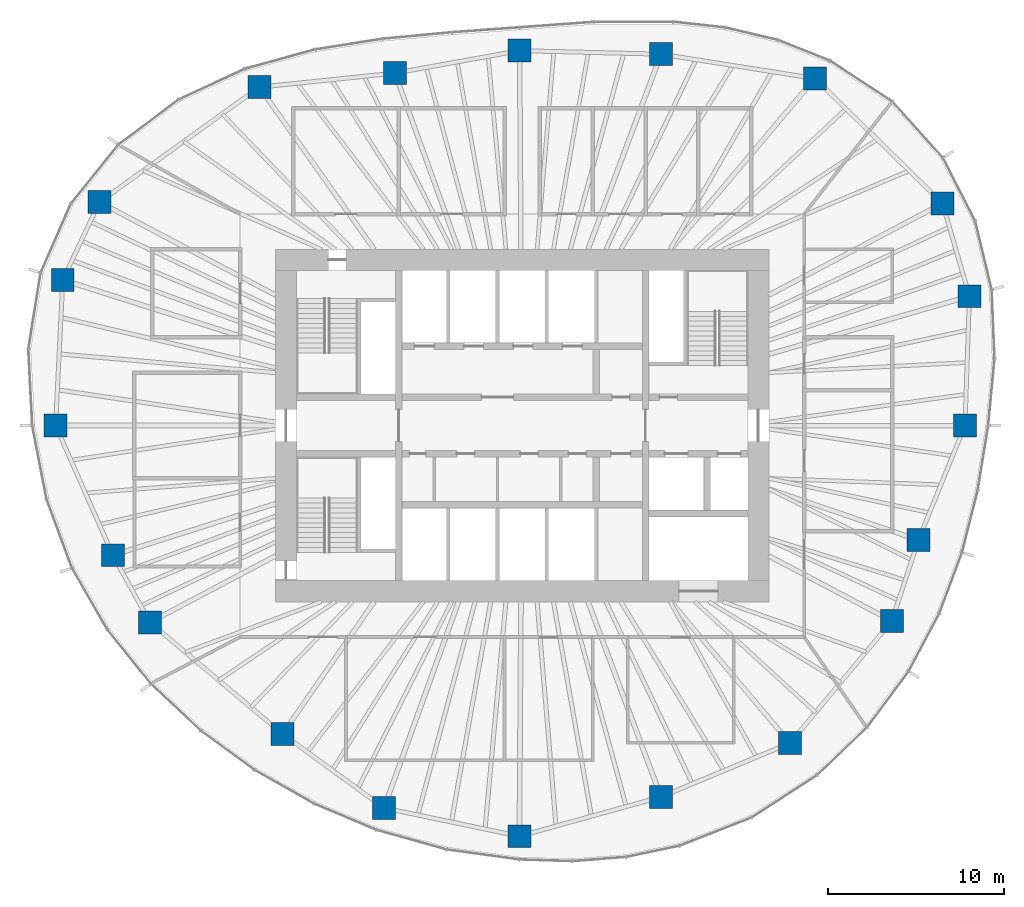
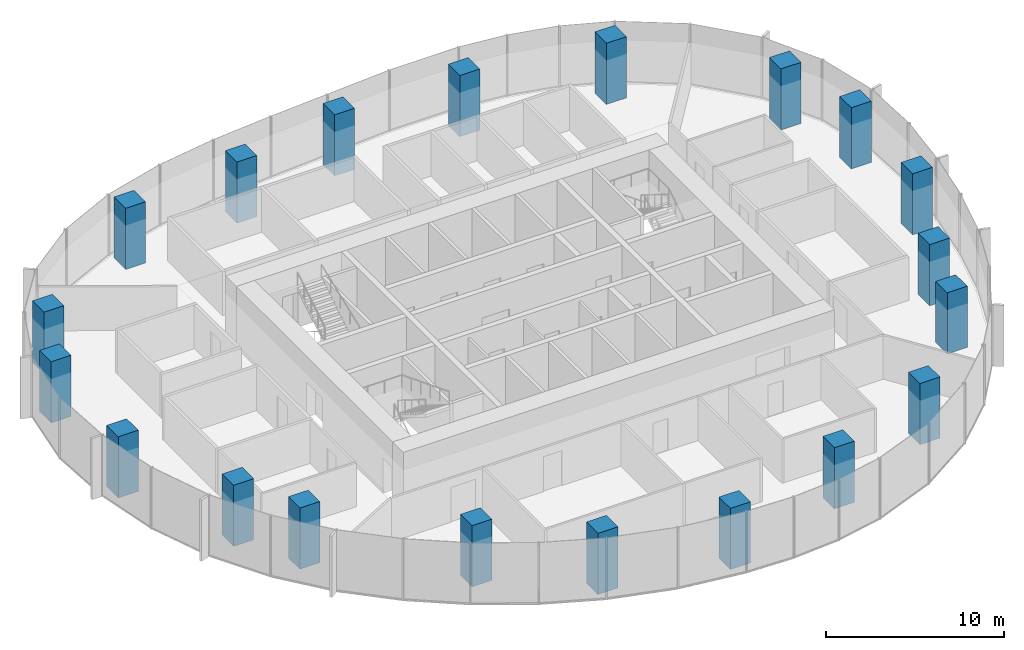
# One storey, part 1 of 11: 20 columns.
"""IFC4 building model written with IfcOpenShell, lengths in metres."""

import ifcopenshell
import ifcopenshell.guid

model = None  # the IFC model being written
_history = None  # IfcOwnerHistory: only IFC2X3 demands one
_inside = {}  # id of a spatial element -> (the spatial element, [elements in it])
_under = {}  # id of a project, library or spatial element -> (it, [spatial elements below it])
_declared = {}  # id of a project -> (the project, [libraries it declares])
_typed = {}  # id of a type object -> (the type object, [elements of that type])
_made_of = {}  # id of a material, layer set ... -> (it, [elements and type objects made of it])


def new_model(schema):
    """Start an empty IFC model of exactly this schema.

    Asked for "IFC4X3", IfcOpenShell would pick the latest addendum, in which some entities
    have other attributes; the version numbers below select the first issue.
    IFC2X3 requires an IfcOwnerHistory on every rooted entity: one is made here for all.
    """
    global model, _history
    if schema == "IFC4X3":
        model = ifcopenshell.file(schema_version=(4, 3, 0, 0))
    else:
        model = ifcopenshell.file(schema=schema)
    _inside.clear()
    _under.clear()
    _declared.clear()
    _typed.clear()
    _made_of.clear()
    _history = None
    if model.schema == "IFC2X3":
        org = make("IfcOrganization", Name="unknown")
        user = make(
            "IfcPersonAndOrganization",
            ThePerson=make("IfcPerson", FamilyName="unknown"),
            TheOrganization=org,
        )
        app = make(
            "IfcApplication",
            ApplicationDeveloper=org,
            Version="unknown",
            ApplicationFullName="unknown",
            ApplicationIdentifier="unknown",
        )
        _history = make(
            "IfcOwnerHistory",
            OwningUser=user,
            OwningApplication=app,
            ChangeAction="ADDED",
            CreationDate=0,
        )
    return model


def make(cls, **values):
    """One entity of the class cls with the attributes given. An attribute that is None is left unset."""
    return model.create_entity(
        cls, **{name: value for name, value in values.items() if value is not None}
    )


def rooted(cls, **values):
    """An entity with a GlobalId (a new one), such as an element, a storey or a relation."""
    return make(cls, GlobalId=ifcopenshell.guid.new(), OwnerHistory=_history, **values)


def si_unit(unit_type, name, prefix=None):
    """IfcSIUnit, for example si_unit("LENGTHUNIT", "METRE", prefix="MILLI")."""
    return make("IfcSIUnit", UnitType=unit_type, Prefix=prefix, Name=name)


def assignment(units):
    """IfcUnitAssignment: the units of a project."""
    return None if units is None else make("IfcUnitAssignment", Units=units)


def point(xyz):
    """IfcCartesianPoint."""
    return None if xyz is None else make("IfcCartesianPoint", Coordinates=xyz)


def direction(xyz):
    """IfcDirection."""
    return None if xyz is None else make("IfcDirection", DirectionRatios=xyz)


def frame(location, z_axis=None, x_axis=None):
    """IfcAxis2Placement3D, a coordinate frame: its origin and axes. An axis left out is left unset."""
    return make(
        "IfcAxis2Placement3D",
        Location=point(location),
        Axis=direction(z_axis),
        RefDirection=direction(x_axis),
    )


def frame_2d(location, x_axis=None):
    """IfcAxis2Placement2D, a coordinate frame in the plane: its origin and x axis."""
    return make(
        "IfcAxis2Placement2D", Location=point(location), RefDirection=direction(x_axis)
    )


def origin():
    """The frame at (0, 0, 0) with its axes left unset."""
    return frame((0.0, 0.0, 0.0))


def origin_2d():
    """The frame at (0, 0) in the plane with its x axis left unset."""
    return frame_2d((0.0, 0.0))


def place(relative_to, where):
    """IfcLocalPlacement: puts the frame where relative to a parent placement (None: the world)."""
    return make(
        "IfcLocalPlacement", PlacementRelTo=relative_to, RelativePlacement=where
    )


def context(
    kind, dimensions, precision=None, world=None, true_north=None, identifier=None
):
    """IfcGeometricRepresentationContext, for example the 3D "Model" context."""
    return make(
        "IfcGeometricRepresentationContext",
        ContextIdentifier=identifier,
        ContextType=kind,
        CoordinateSpaceDimension=dimensions,
        Precision=precision,
        WorldCoordinateSystem=world,
        TrueNorth=true_north,
    )


def subcontext(parent, identifier, kind, view, scale=None):
    """IfcGeometricRepresentationSubContext, for example "Body" below "Model"."""
    return make(
        "IfcGeometricRepresentationSubContext",
        ContextIdentifier=identifier,
        ContextType=kind,
        ParentContext=parent,
        TargetScale=scale,
        TargetView=view,
    )


def project(units=None, contexts=None):
    """IfcProject with its units and contexts."""
    return rooted(
        "IfcProject",
        Name="project",
        RepresentationContexts=contexts,
        UnitsInContext=assignment(units),
    )


def spatial(cls, under=None, at=None, **own):
    """A site, building, storey or space (cls), placed at a placement, below another one or the project."""
    s = rooted(cls, ObjectPlacement=at, **own)
    if under is not None:
        _under.setdefault(under.id(), (under, []))[1].append(s)
    return s


def profile(cls, at=None, kind="AREA", **sizes):
    """A parametric profile (cls). Its sizes go by their IFC names, for example OverallWidth=200.0."""
    return make(cls, ProfileType=kind, Position=at, **sizes)


def rectangle(**sizes):
    """IfcRectangleProfileDef."""
    return profile("IfcRectangleProfileDef", **sizes)


def extrude(swept, where, along, depth):
    """IfcExtrudedAreaSolid: the profile swept, set in the frame where, extruded along a direction by depth."""
    return make(
        "IfcExtrudedAreaSolid",
        SweptArea=swept,
        Position=where,
        ExtrudedDirection=direction(along),
        Depth=depth,
    )


def shape(context_of_items, identifier, shape_type, items):
    """IfcShapeRepresentation: the items that make up one representation, for example the "Body"."""
    return make(
        "IfcShapeRepresentation",
        ContextOfItems=context_of_items,
        RepresentationIdentifier=identifier,
        RepresentationType=shape_type,
        Items=items,
    )


def material(Name=None, Category=None):
    """IfcMaterial."""
    return make("IfcMaterial", Name=Name, Category=Category)


def material_profile(
    of_material, cross_section, Name=None, Category=None, Priority=None
):
    """IfcMaterialProfile: a cross section and its material."""
    return make(
        "IfcMaterialProfile",
        Name=Name,
        Material=of_material,
        Profile=cross_section,
        Priority=Priority,
        Category=Category,
    )


def profile_set(profiles, Name=None, composite=None):
    """IfcMaterialProfileSet."""
    return make(
        "IfcMaterialProfileSet",
        Name=Name,
        MaterialProfiles=profiles,
        CompositeProfile=composite,
    )


def made_of(thing, what):
    """Note that an element or type object is made of a material, layer set ...; save() writes the relation."""
    if what is not None:
        _made_of.setdefault(what.id(), (what, []))[1].append(thing)
    return thing


def type_object(cls, material=None, **own):
    """A type object (cls), such as IfcWallType, which elements share."""
    return made_of(rooted(cls, **own), material)


def element(
    cls,
    number,
    at=None,
    inside=None,
    cuts=None,
    type_object=None,
    material=None,
    context=None,
    identifier="Body",
    shape_type=None,
    held_by="IfcProductDefinitionShape",
    body=None,
    shapes=None,
    **own,
):
    """One element of the class cls, such as IfcWall. Its Tag is "e" and its number.

    at: its placement. inside: the storey or other place that contains it. cuts: it is an
    opening in that element (IfcRelVoidsElement). A single representation is given by context,
    identifier, shape_type and body (its items); several are given by shapes. held_by: the class
    of the entity that holds the representations. save() writes the other relations.
    """
    e = rooted(cls, Tag="e%d" % number, ObjectPlacement=at, **own)
    if body is not None:
        shapes = [shape(context, identifier, shape_type, body)]
    if shapes is not None:
        e.Representation = make(held_by, Representations=shapes)
    if inside is not None:
        _inside.setdefault(inside.id(), (inside, []))[1].append(e)
    if cuts is not None:
        rooted(
            "IfcRelVoidsElement", RelatingBuildingElement=cuts, RelatedOpeningElement=e
        )
    if type_object is not None:
        _typed.setdefault(type_object.id(), (type_object, []))[1].append(e)
    return made_of(e, material)


def aggregate(whole, parts):
    """IfcRelAggregates: a whole, such as a stair, and the parts it consists of."""
    return rooted("IfcRelAggregates", RelatingObject=whole, RelatedObjects=parts)


def save(model, path):
    """Write the relations noted so far, then the file.

    IfcRelAggregates (storeys below a building ...), IfcRelContainedInSpatialStructure (elements
    in a storey), IfcRelDefinesByType, IfcRelAssociatesMaterial and IfcRelDeclares: one each for
    every whole, place, type object, material and project.
    """
    for whole, parts in _under.values():
        aggregate(whole, parts)
    for where, things in _inside.values():
        rooted(
            "IfcRelContainedInSpatialStructure",
            RelatedElements=things,
            RelatingStructure=where,
        )
    for kind, things in _typed.values():
        rooted("IfcRelDefinesByType", RelatedObjects=things, RelatingType=kind)
    for what, things in _made_of.values():
        rooted("IfcRelAssociatesMaterial", RelatedObjects=things, RelatingMaterial=what)
    for by, libraries in _declared.values():
        rooted("IfcRelDeclares", RelatingContext=by, RelatedDefinitions=libraries)
    model.write(path)


model = new_model("IFC4")

# Units and contexts
model_context = context("Model", 3, precision=1e-05, world=origin(), true_north=direction((0.0, 1.0)))
body_context = subcontext(model_context, "Body", "Model", "MODEL_VIEW")
ifc_project = project(units=[si_unit("LENGTHUNIT", "METRE"), si_unit("AREAUNIT", "SQUARE_METRE"), si_unit("VOLUMEUNIT", "CUBIC_METRE"), si_unit("PLANEANGLEUNIT", "RADIAN"), si_unit("MASSUNIT", "GRAM", prefix="KILO")], contexts=[model_context])

# Site, building, storey
site_placement = place(None, origin())
site = spatial("IfcSite", under=ifc_project, at=site_placement, CompositionType="ELEMENT")
building_placement = place(site_placement, origin())
building = spatial("IfcBuilding", under=site, at=building_placement, Name="Ghaith Harvest Tower", CompositionType="ELEMENT")
storey_placement = place(building_placement, frame((0.0, 0.0, 211.60009765625)))
storey = spatial("IfcBuildingStorey", under=building, at=storey_placement, Name="L46", CompositionType="ELEMENT", Elevation=211.60009765625)

# Columns
ifc_material = material(Name="Concrete C60/75", Category="concrete")
ifc_material_profile = material_profile(ifc_material, rectangle(XDim=1.300048828125, YDim=1.300048828125, at=origin_2d()), Name="RC1300X1300")
ifc_profile_set = profile_set([ifc_material_profile], Name="Concrete C60/75")
column_type = type_object("IfcColumnType", Name="TC5 RC1300X1300", PredefinedType="COLUMN", material=ifc_profile_set)
for number, where, z_axis, x_axis, name in (
    (1, (25.125, 0.0, 0.0), (0.0, 0.0, 1.0), (1.0, 0.0, 0.0), "Perimeter column C01"),
    (2, (25.3779296875, 7.3349609375, 0.0), (0.0, 0.0, 1.0), (1.0, 0.0, 0.0), "Perimeter column C02"),
    (3, (23.85205078125, 12.60693359375, 0.0), (0.0, 0.0, 1.0), (1.0, 0.0, 0.0), "Perimeter column C03"),
    (4, (16.60791015625, 19.695068359375, 0.0), (0.0, 0.0, 1.0), (1.0, 0.0, 0.0), "Perimeter column C04"),
    (5, (7.8779296875, 21.072021484375, 0.0), (0.0, 0.0, 1.0), (1.0, 0.0, 0.0), "Perimeter column C05"),
    (6, (-0.14599609375, 21.27099609375, 0.0), (0.0, 0.0, 1.0), (1.0, 0.0, 0.0), "Perimeter column C06"),
    (7, (-7.221923828125, 19.9970703125, 0.0), (0.0, 0.0, 1.0), (1.0, 0.0, 0.0), "Perimeter column C07"),
    (8, (-14.910888671875, 19.199951171875, 0.0), (0.0, 0.0, 1.0), (1.0, 0.0, 0.0), "Perimeter column C08"),
    (9, (-23.986083984375, 12.677978515625, 0.0), (0.0, 0.0, 1.0), (1.0, 0.0, 0.0), "Perimeter column C09"),
    (10, (-26.06689453125, 8.260986328125, 0.0), (0.0, 0.0, 1.0), (1.0, 0.0, 0.0), "Perimeter column C10"),
    (11, (-26.47509765625, 0.0, 0.0), (0.0, 0.0, 1.0), (1.0, 0.0, 0.0), "Perimeter column C11"),
    (12, (-23.22412109375, -7.360107421875, 0.0), (0.0, 0.0, 1.0), (1.0, 0.0, 0.0), "Perimeter column C12"),
    (13, (-21.125, -11.166015625, 0.0), (0.0, 0.0, 1.0), (1.0, 0.0, 0.0), "Perimeter column C13"),
    (14, (-13.594970703125, -17.5048828125, 0.0), (0.0, 0.0, 1.0), (1.0, 0.0, 0.0), "Perimeter column C14"),
    (15, (-7.837890625, -21.699951171875, 0.0), (0.0, 0.0, 1.0), (1.0, 0.0, 0.0), "Perimeter column C15"),
    (16, (-0.158935546875, -23.304931640625, 0.0), (0.0, 0.0, 1.0), (1.0, 0.0, 0.0), "Perimeter column C16"),
    (17, (7.8779296875, -21.072021484375, 0.0), (0.0, 0.0, 1.0), (1.0, 0.0, 0.0), "Perimeter column C17"),
    (18, (15.197998046875, -18.02294921875, 0.0), (0.0, 0.0, 1.0), (1.0, 0.0, 0.0), "Perimeter column C18"),
    (19, (20.97705078125, -11.087890625, 0.0), (0.0, 0.0, 1.0), (1.0, 0.0, 0.0), "Perimeter column C19"),
    (20, (22.485107421875, -6.4990234375, 0.0), (0.0, 0.0, 1.0), (1.0, 0.0, 0.0), "Perimeter column C20"),
):
    element("IfcColumn", number, at=place(storey_placement, frame(where, z_axis=z_axis, x_axis=x_axis)), inside=storey, type_object=column_type, Name=name, PredefinedType="COLUMN", context=body_context, shape_type="SweptSolid", body=[
        extrude(rectangle(XDim=1.300048828125, YDim=1.300048828125, at=origin_2d()), origin(), (0.0, 0.0, 1.0), 4.199951171875),
    ])

save(model, "model.ifc")
